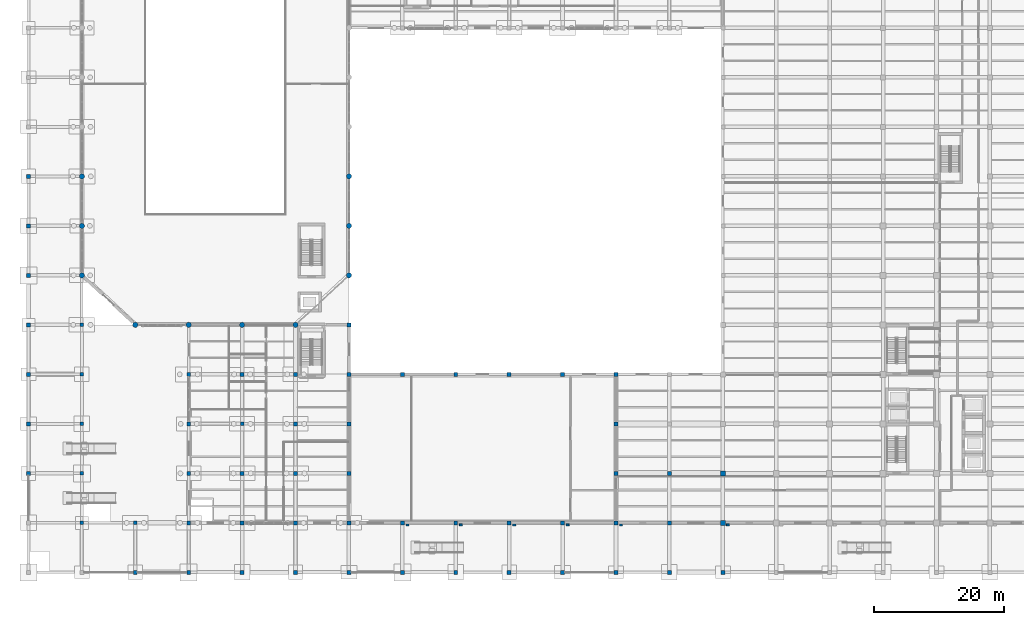
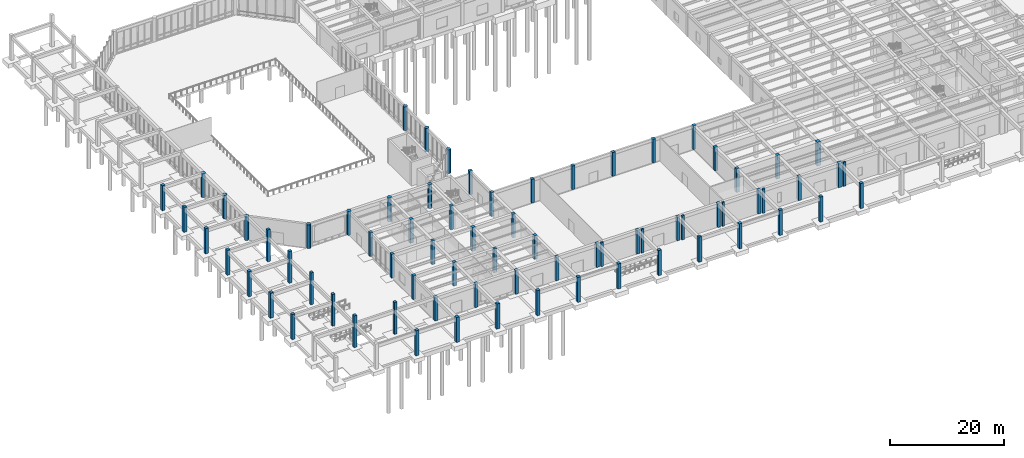
# One storey, part 7 of 64: 74 columns.
"""IFC4 building model written with IfcOpenShell, lengths in metres."""

from ifc_helpers import new_model, si_unit, direction, frame, origin, origin_2d, place, context, subcontext, project, spatial, rectangle, circle, extrude, material, material_profile, profile_set, type_object, element, save


model = new_model("IFC4")

# Units and contexts
model_context = context("Model", 3, precision=1e-05, world=origin(), true_north=direction((0.0, 1.0)))
body_context = subcontext(model_context, "Body", "Model", "MODEL_VIEW")
ifc_project = project(units=[si_unit("LENGTHUNIT", "METRE"), si_unit("AREAUNIT", "SQUARE_METRE"), si_unit("VOLUMEUNIT", "CUBIC_METRE"), si_unit("PLANEANGLEUNIT", "RADIAN"), si_unit("MASSUNIT", "GRAM", prefix="KILO")], contexts=[model_context])

# Site, building, storey
site_placement = place(None, origin())
site = spatial("IfcSite", under=ifc_project, at=site_placement, CompositionType="ELEMENT")
building_placement = place(site_placement, origin())
building = spatial("IfcBuilding", under=site, at=building_placement, Name="Qandaris Square Conservatory and Botanical Centre", CompositionType="ELEMENT")
storey_placement = place(building_placement, origin())
storey = spatial("IfcBuildingStorey", under=building, at=storey_placement, Name="L00", CompositionType="ELEMENT", Elevation=0.0)

# Columns
ifc_material_1 = material(Name="Concrete C50/60", Category="concrete")
ifc_material_profile_1 = material_profile(ifc_material_1, circle(Radius=0.39990234375, at=origin_2d()), Name="RC-COL D800")
ifc_profile_set_1 = profile_set([ifc_material_profile_1], Name="Concrete C50/60")
column_type_1 = type_object("IfcColumnType", Name="Conservatory Ring Pier D800", PredefinedType="COLUMN", material=ifc_profile_set_1)
for number, where, z_axis, x_axis, name in (
    (1, (16.199951171875, 54.60009765625, 0.0), (0.0, 0.0, 1.0), (1.0, 0.0, 0.0), "Column G2 (L00)"),
    (2, (16.199951171875, 62.199951171875, 0.0), (0.0, 0.0, 1.0), (1.0, 0.0, 0.0), "Column H2 (L00)"),
    (3, (16.199951171875, 69.800048828125, 0.0), (0.0, 0.0, 1.0), (1.0, 0.0, 0.0), "Column J2 (L00)"),
    (4, (24.39990234375, 47.0, 0.0), (0.0, 0.0, 1.0), (1.0, 0.0, 0.0), "Column F3 (L00)"),
    (5, (32.60009765625, 47.0, 0.0), (0.0, 0.0, 1.0), (1.0, 0.0, 0.0), "Column F4 (L00)"),
    (6, (40.800048828125, 47.0, 0.0), (0.0, 0.0, 1.0), (1.0, 0.0, 0.0), "Column F5 (L00)"),
    (7, (49.0, 47.0, 0.0), (0.0, 0.0, 1.0), (1.0, 0.0, 0.0), "Column F6 (L00)"),
    (8, (57.199951171875, 54.60009765625, 0.0), (0.0, 0.0, 1.0), (1.0, 0.0, 0.0), "Column G7 (L00)"),
    (9, (57.199951171875, 62.199951171875, 0.0), (0.0, 0.0, 1.0), (1.0, 0.0, 0.0), "Column H7 (L00)"),
    (10, (57.199951171875, 69.800048828125, 0.0), (0.0, 0.0, 1.0), (1.0, 0.0, 0.0), "Column J7 (L00)"),
):
    element("IfcColumn", number, at=place(storey_placement, frame(where, z_axis=z_axis, x_axis=x_axis)), inside=storey, type_object=column_type_1, Name=name, PredefinedType="COLUMN", context=body_context, shape_type="SweptSolid", body=[
        extrude(circle(Radius=0.39990234375, at=origin_2d()), origin(), (0.0, 0.0, 1.0), 5.10009765625),
    ])
ifc_material_profile_2 = material_profile(ifc_material_1, rectangle(XDim=0.449951171875, YDim=0.300048828125, at=origin_2d()), Name="RC-PIL 450x300")
ifc_profile_set_2 = profile_set([ifc_material_profile_2], Name="Concrete C50/60")
column_type_2 = type_object("IfcColumnType", Name="Engaged Prairie Pilaster 450x300", PredefinedType="PILASTER", material=ifc_profile_set_2)
for number, where, z_axis, x_axis, name in (
    (11, (74.3798828125, 16.280029296875, 0.0), (0.0, 0.0, 1.0), (1.0, 0.0, 0.0), "Prairie Pilaster 02 (L00)"),
    (12, (90.780029296875, 16.280029296875, 0.0), (0.0, 0.0, 1.0), (1.0, 0.0, 0.0), "Prairie Pilaster 04 (L00)"),
    (13, (115.3798828125, 16.280029296875, 0.0), (0.0, 0.0, 1.0), (1.0, 0.0, 0.0), "Prairie Pilaster 06 (L00)"),
):
    element("IfcColumn", number, at=place(storey_placement, frame(where, z_axis=z_axis, x_axis=x_axis)), inside=storey, type_object=column_type_2, Name=name, PredefinedType="PILASTER", context=body_context, shape_type="SweptSolid", body=[
        extrude(rectangle(XDim=0.449951171875, YDim=0.300048828125, at=origin_2d()), origin(), (0.0, 0.0, 1.0), 5.175048828125),
    ])
ifc_material_profile_3 = material_profile(ifc_material_1, rectangle(XDim=0.5, YDim=0.35009765625, at=origin_2d()), Name="RC-PIL 500x350")
ifc_profile_set_3 = profile_set([ifc_material_profile_3], Name="Concrete C50/60")
column_type_3 = type_object("IfcColumnType", Name="Engaged Prairie Pilaster 500x350", PredefinedType="PILASTER", material=ifc_profile_set_3)
for number, where, z_axis, x_axis, name in (
    (14, (66.179931640625, 16.280029296875, 0.0), (0.0, 0.0, 1.0), (1.0, 0.0, 0.0), "Prairie Pilaster 01 (L00)"),
    (15, (82.580078125, 16.280029296875, 0.0), (0.0, 0.0, 1.0), (1.0, 0.0, 0.0), "Prairie Pilaster 03 (L00)"),
    (16, (98.97998046875, 16.280029296875, 0.0), (0.0, 0.0, 1.0), (1.0, 0.0, 0.0), "Prairie Pilaster 05 (L00)"),
):
    element("IfcColumn", number, at=place(storey_placement, frame(where, z_axis=z_axis, x_axis=x_axis)), inside=storey, type_object=column_type_3, Name=name, PredefinedType="PILASTER", context=body_context, shape_type="SweptSolid", body=[
        extrude(rectangle(XDim=0.5, YDim=0.35009765625, at=origin_2d()), origin(), (0.0, 0.0, 1.0), 5.175048828125),
    ])
ifc_material_2 = material(Name="Concrete C40/50", Category="concrete")
ifc_material_profile_4 = material_profile(ifc_material_2, rectangle(XDim=0.550048828125, YDim=0.550048828125, at=origin_2d()), Name="RC-COL 550x550")
ifc_profile_set_4 = profile_set([ifc_material_profile_4], Name="Concrete C40/50")
column_type_4 = type_object("IfcColumnType", Name="RC Column 550x550", PredefinedType="COLUMN", material=ifc_profile_set_4)
for number, where, z_axis, x_axis, name in (
    (17, (16.199951171875, 16.60009765625, 0.0), (0.0, 0.0, 1.0), (1.0, 0.0, 0.0), "Column B2 (L00)"),
    (18, (16.199951171875, 24.199951171875, 0.0), (0.0, 0.0, 1.0), (1.0, 0.0, 0.0), "Column C2 (L00)"),
    (19, (16.199951171875, 31.800048828125, 0.0), (0.0, 0.0, 1.0), (1.0, 0.0, 0.0), "Column D2 (L00)"),
    (20, (16.199951171875, 39.39990234375, 0.0), (0.0, 0.0, 1.0), (1.0, 0.0, 0.0), "Column E2 (L00)"),
    (21, (16.199951171875, 47.0, 0.0), (0.0, 0.0, 1.0), (1.0, 0.0, 0.0), "Column F2 (L00)"),
    (22, (24.39990234375, 16.60009765625, 0.0), (0.0, 0.0, 1.0), (1.0, 0.0, 0.0), "Column B3 (L00)"),
):
    element("IfcColumn", number, at=place(storey_placement, frame(where, z_axis=z_axis, x_axis=x_axis)), inside=storey, type_object=column_type_4, Name=name, PredefinedType="COLUMN", context=body_context, shape_type="SweptSolid", body=[
        extrude(rectangle(XDim=0.550048828125, YDim=0.550048828125, at=origin_2d()), origin(), (0.0, 0.0, 1.0), 6.840087890625),
    ])
column_1_placement = place(storey_placement, frame((40.800048828125, 31.800048828125, 0.0), z_axis=(0.0, 0.0, 1.0), x_axis=(1.0, 0.0, 0.0)))
element("IfcColumn", 23, at=column_1_placement, inside=storey, type_object=column_type_4, Name="Column D5 (L00)", PredefinedType="COLUMN", context=body_context, shape_type="SweptSolid", body=[
    extrude(rectangle(XDim=0.550048828125, YDim=0.550048828125, at=origin_2d()), origin(), (0.0, 0.0, 1.0), 5.10009765625),
])
ifc_material_profile_5 = material_profile(ifc_material_2, rectangle(XDim=0.60009765625, YDim=0.60009765625, at=origin_2d()), Name="RC-COL 600x600")
ifc_profile_set_5 = profile_set([ifc_material_profile_5], Name="Concrete C40/50")
column_type_5 = type_object("IfcColumnType", Name="RC Column 600x600", PredefinedType="COLUMN", material=ifc_profile_set_5)
for number, where, z_axis, x_axis, name in (
    (24, (8.0, 24.199951171875, 0.0), (0.0, 0.0, 1.0), (1.0, 0.0, 0.0), "Column C1 (L00)"),
    (25, (8.0, 31.800048828125, 0.0), (0.0, 0.0, 1.0), (1.0, 0.0, 0.0), "Column D1 (L00)"),
    (26, (8.0, 39.39990234375, 0.0), (0.0, 0.0, 1.0), (1.0, 0.0, 0.0), "Column E1 (L00)"),
    (27, (8.0, 47.0, 0.0), (0.0, 0.0, 1.0), (1.0, 0.0, 0.0), "Column F1 (L00)"),
    (28, (8.0, 54.60009765625, 0.0), (0.0, 0.0, 1.0), (1.0, 0.0, 0.0), "Column G1 (L00)"),
    (29, (8.0, 62.199951171875, 0.0), (0.0, 0.0, 1.0), (1.0, 0.0, 0.0), "Column H1 (L00)"),
    (30, (8.0, 69.800048828125, 0.0), (0.0, 0.0, 1.0), (1.0, 0.0, 0.0), "Column J1 (L00)"),
    (31, (24.39990234375, 9.0, 0.0), (0.0, 0.0, 1.0), (1.0, 0.0, 0.0), "Column A3 (L00)"),
    (32, (32.60009765625, 9.0, 0.0), (0.0, 0.0, 1.0), (1.0, 0.0, 0.0), "Column A4 (L00)"),
):
    element("IfcColumn", number, at=place(storey_placement, frame(where, z_axis=z_axis, x_axis=x_axis)), inside=storey, type_object=column_type_5, Name=name, PredefinedType="COLUMN", context=body_context, shape_type="SweptSolid", body=[
        extrude(rectangle(XDim=0.60009765625, YDim=0.60009765625, at=origin_2d()), origin(), (0.0, 0.0, 1.0), 5.39990234375),
    ])
for number, where, z_axis, x_axis, name in (
    (33, (32.60009765625, 16.60009765625, 0.0), (0.0, 0.0, 1.0), (1.0, 0.0, 0.0), "Column B4 (L00)"),
    (34, (32.60009765625, 24.199951171875, 0.0), (0.0, 0.0, 1.0), (1.0, 0.0, 0.0), "Column C4 (L00)"),
    (35, (32.60009765625, 31.800048828125, 0.0), (0.0, 0.0, 1.0), (1.0, 0.0, 0.0), "Column D4 (L00)"),
    (36, (32.60009765625, 39.39990234375, 0.0), (0.0, 0.0, 1.0), (1.0, 0.0, 0.0), "Column E4 (L00)"),
):
    element("IfcColumn", number, at=place(storey_placement, frame(where, z_axis=z_axis, x_axis=x_axis)), inside=storey, type_object=column_type_5, Name=name, PredefinedType="COLUMN", context=body_context, shape_type="SweptSolid", body=[
        extrude(rectangle(XDim=0.60009765625, YDim=0.60009765625, at=origin_2d()), origin(), (0.0, 0.0, 1.0), 5.10009765625),
    ])
column_2_placement = place(storey_placement, frame((40.800048828125, 9.0, 0.0), z_axis=(0.0, 0.0, 1.0), x_axis=(1.0, 0.0, 0.0)))
element("IfcColumn", 37, at=column_2_placement, inside=storey, type_object=column_type_5, Name="Column A5 (L00)", PredefinedType="COLUMN", context=body_context, shape_type="SweptSolid", body=[
    extrude(rectangle(XDim=0.60009765625, YDim=0.60009765625, at=origin_2d()), origin(), (0.0, 0.0, 1.0), 5.39990234375),
])
for number, where, z_axis, x_axis, name in (
    (38, (40.800048828125, 16.60009765625, 0.0), (0.0, 0.0, 1.0), (1.0, 0.0, 0.0), "Column B5 (L00)"),
    (39, (40.800048828125, 24.199951171875, 0.0), (0.0, 0.0, 1.0), (1.0, 0.0, 0.0), "Column C5 (L00)"),
    (40, (40.800048828125, 39.39990234375, 0.0), (0.0, 0.0, 1.0), (1.0, 0.0, 0.0), "Column E5 (L00)"),
):
    element("IfcColumn", number, at=place(storey_placement, frame(where, z_axis=z_axis, x_axis=x_axis)), inside=storey, type_object=column_type_5, Name=name, PredefinedType="COLUMN", context=body_context, shape_type="SweptSolid", body=[
        extrude(rectangle(XDim=0.60009765625, YDim=0.60009765625, at=origin_2d()), origin(), (0.0, 0.0, 1.0), 5.10009765625),
    ])
column_3_placement = place(storey_placement, frame((49.0, 9.0, 0.0), z_axis=(0.0, 0.0, 1.0), x_axis=(1.0, 0.0, 0.0)))
element("IfcColumn", 41, at=column_3_placement, inside=storey, type_object=column_type_5, Name="Column A6 (L00)", PredefinedType="COLUMN", context=body_context, shape_type="SweptSolid", body=[
    extrude(rectangle(XDim=0.60009765625, YDim=0.60009765625, at=origin_2d()), origin(), (0.0, 0.0, 1.0), 5.39990234375),
])
for number, where, z_axis, x_axis, name in (
    (42, (49.0, 16.60009765625, 0.0), (0.0, 0.0, 1.0), (1.0, 0.0, 0.0), "Column B6 (L00)"),
    (43, (49.0, 24.199951171875, 0.0), (0.0, 0.0, 1.0), (1.0, 0.0, 0.0), "Column C6 (L00)"),
    (44, (49.0, 31.800048828125, 0.0), (0.0, 0.0, 1.0), (1.0, 0.0, 0.0), "Column D6 (L00)"),
    (45, (49.0, 39.39990234375, 0.0), (0.0, 0.0, 1.0), (1.0, 0.0, 0.0), "Column E6 (L00)"),
):
    element("IfcColumn", number, at=place(storey_placement, frame(where, z_axis=z_axis, x_axis=x_axis)), inside=storey, type_object=column_type_5, Name=name, PredefinedType="COLUMN", context=body_context, shape_type="SweptSolid", body=[
        extrude(rectangle(XDim=0.60009765625, YDim=0.60009765625, at=origin_2d()), origin(), (0.0, 0.0, 1.0), 5.10009765625),
    ])
column_4_placement = place(storey_placement, frame((57.199951171875, 9.0, 0.0), z_axis=(0.0, 0.0, 1.0), x_axis=(1.0, 0.0, 0.0)))
element("IfcColumn", 46, at=column_4_placement, inside=storey, type_object=column_type_5, Name="Column A7 (L00)", PredefinedType="COLUMN", context=body_context, shape_type="SweptSolid", body=[
    extrude(rectangle(XDim=0.60009765625, YDim=0.60009765625, at=origin_2d()), origin(), (0.0, 0.0, 1.0), 5.39990234375),
])
for number, where, z_axis, x_axis, name in (
    (47, (57.199951171875, 16.60009765625, 0.0), (0.0, 0.0, 1.0), (1.0, 0.0, 0.0), "Column B7 (L00)"),
    (48, (57.199951171875, 24.199951171875, 0.0), (0.0, 0.0, 1.0), (1.0, 0.0, 0.0), "Column C7 (L00)"),
    (49, (57.199951171875, 31.800048828125, 0.0), (0.0, 0.0, 1.0), (1.0, 0.0, 0.0), "Column D7 (L00)"),
    (50, (57.199951171875, 39.39990234375, 0.0), (0.0, 0.0, 1.0), (1.0, 0.0, 0.0), "Column E7 (L00)"),
    (51, (57.199951171875, 47.0, 0.0), (0.0, 0.0, 1.0), (1.0, 0.0, 0.0), "Column F7 (L00)"),
):
    element("IfcColumn", number, at=place(storey_placement, frame(where, z_axis=z_axis, x_axis=x_axis)), inside=storey, type_object=column_type_5, Name=name, PredefinedType="COLUMN", context=body_context, shape_type="SweptSolid", body=[
        extrude(rectangle(XDim=0.60009765625, YDim=0.60009765625, at=origin_2d()), origin(), (0.0, 0.0, 1.0), 5.10009765625),
    ])
column_5_placement = place(storey_placement, frame((65.39990234375, 9.0, 0.0), z_axis=(0.0, 0.0, 1.0), x_axis=(1.0, 0.0, 0.0)))
element("IfcColumn", 52, at=column_5_placement, inside=storey, type_object=column_type_5, Name="Column A8 (L00)", PredefinedType="COLUMN", context=body_context, shape_type="SweptSolid", body=[
    extrude(rectangle(XDim=0.60009765625, YDim=0.60009765625, at=origin_2d()), origin(), (0.0, 0.0, 1.0), 5.39990234375),
])
for number, where, z_axis, x_axis, name in (
    (53, (65.39990234375, 16.60009765625, 0.0), (0.0, 0.0, 1.0), (1.0, 0.0, 0.0), "Column B8 (L00)"),
    (54, (65.39990234375, 39.39990234375, 0.0), (0.0, 0.0, 1.0), (1.0, 0.0, 0.0), "Column E8 (L00)"),
):
    element("IfcColumn", number, at=place(storey_placement, frame(where, z_axis=z_axis, x_axis=x_axis)), inside=storey, type_object=column_type_5, Name=name, PredefinedType="COLUMN", context=body_context, shape_type="SweptSolid", body=[
        extrude(rectangle(XDim=0.60009765625, YDim=0.60009765625, at=origin_2d()), origin(), (0.0, 0.0, 1.0), 5.10009765625),
    ])
column_6_placement = place(storey_placement, frame((73.60009765625, 9.0, 0.0), z_axis=(0.0, 0.0, 1.0), x_axis=(1.0, 0.0, 0.0)))
element("IfcColumn", 55, at=column_6_placement, inside=storey, type_object=column_type_5, Name="Column A9 (L00)", PredefinedType="COLUMN", context=body_context, shape_type="SweptSolid", body=[
    extrude(rectangle(XDim=0.60009765625, YDim=0.60009765625, at=origin_2d()), origin(), (0.0, 0.0, 1.0), 5.39990234375),
])
for number, where, z_axis, x_axis, name in (
    (56, (73.60009765625, 16.60009765625, 0.0), (0.0, 0.0, 1.0), (1.0, 0.0, 0.0), "Column B9 (L00)"),
    (57, (73.60009765625, 39.39990234375, 0.0), (0.0, 0.0, 1.0), (1.0, 0.0, 0.0), "Column E9 (L00)"),
):
    element("IfcColumn", number, at=place(storey_placement, frame(where, z_axis=z_axis, x_axis=x_axis)), inside=storey, type_object=column_type_5, Name=name, PredefinedType="COLUMN", context=body_context, shape_type="SweptSolid", body=[
        extrude(rectangle(XDim=0.60009765625, YDim=0.60009765625, at=origin_2d()), origin(), (0.0, 0.0, 1.0), 5.10009765625),
    ])
column_7_placement = place(storey_placement, frame((81.800048828125, 9.0, 0.0), z_axis=(0.0, 0.0, 1.0), x_axis=(1.0, 0.0, 0.0)))
element("IfcColumn", 58, at=column_7_placement, inside=storey, type_object=column_type_5, Name="Column A10 (L00)", PredefinedType="COLUMN", context=body_context, shape_type="SweptSolid", body=[
    extrude(rectangle(XDim=0.60009765625, YDim=0.60009765625, at=origin_2d()), origin(), (0.0, 0.0, 1.0), 5.39990234375),
])
for number, where, z_axis, x_axis, name in (
    (59, (81.800048828125, 16.60009765625, 0.0), (0.0, 0.0, 1.0), (1.0, 0.0, 0.0), "Column B10 (L00)"),
    (60, (81.800048828125, 39.39990234375, 0.0), (0.0, 0.0, 1.0), (1.0, 0.0, 0.0), "Column E10 (L00)"),
):
    element("IfcColumn", number, at=place(storey_placement, frame(where, z_axis=z_axis, x_axis=x_axis)), inside=storey, type_object=column_type_5, Name=name, PredefinedType="COLUMN", context=body_context, shape_type="SweptSolid", body=[
        extrude(rectangle(XDim=0.60009765625, YDim=0.60009765625, at=origin_2d()), origin(), (0.0, 0.0, 1.0), 5.10009765625),
    ])
column_8_placement = place(storey_placement, frame((90.0, 9.0, 0.0), z_axis=(0.0, 0.0, 1.0), x_axis=(1.0, 0.0, 0.0)))
element("IfcColumn", 61, at=column_8_placement, inside=storey, type_object=column_type_5, Name="Column A11 (L00)", PredefinedType="COLUMN", context=body_context, shape_type="SweptSolid", body=[
    extrude(rectangle(XDim=0.60009765625, YDim=0.60009765625, at=origin_2d()), origin(), (0.0, 0.0, 1.0), 5.39990234375),
])
for number, where, z_axis, x_axis, name in (
    (62, (90.0, 16.60009765625, 0.0), (0.0, 0.0, 1.0), (1.0, 0.0, 0.0), "Column B11 (L00)"),
    (63, (90.0, 39.39990234375, 0.0), (0.0, 0.0, 1.0), (1.0, 0.0, 0.0), "Column E11 (L00)"),
):
    element("IfcColumn", number, at=place(storey_placement, frame(where, z_axis=z_axis, x_axis=x_axis)), inside=storey, type_object=column_type_5, Name=name, PredefinedType="COLUMN", context=body_context, shape_type="SweptSolid", body=[
        extrude(rectangle(XDim=0.60009765625, YDim=0.60009765625, at=origin_2d()), origin(), (0.0, 0.0, 1.0), 5.10009765625),
    ])
column_9_placement = place(storey_placement, frame((98.199951171875, 9.0, 0.0), z_axis=(0.0, 0.0, 1.0), x_axis=(1.0, 0.0, 0.0)))
element("IfcColumn", 64, at=column_9_placement, inside=storey, type_object=column_type_5, Name="Column A12 (L00)", PredefinedType="COLUMN", context=body_context, shape_type="SweptSolid", body=[
    extrude(rectangle(XDim=0.60009765625, YDim=0.60009765625, at=origin_2d()), origin(), (0.0, 0.0, 1.0), 5.39990234375),
])
for number, where, z_axis, x_axis, name in (
    (65, (98.199951171875, 16.60009765625, 0.0), (0.0, 0.0, 1.0), (1.0, 0.0, 0.0), "Column B12 (L00)"),
    (66, (98.199951171875, 24.199951171875, 0.0), (0.0, 0.0, 1.0), (1.0, 0.0, 0.0), "Column C12 (L00)"),
    (67, (98.199951171875, 31.800048828125, 0.0), (0.0, 0.0, 1.0), (1.0, 0.0, 0.0), "Column D12 (L00)"),
    (68, (98.199951171875, 39.39990234375, 0.0), (0.0, 0.0, 1.0), (1.0, 0.0, 0.0), "Column E12 (L00)"),
):
    element("IfcColumn", number, at=place(storey_placement, frame(where, z_axis=z_axis, x_axis=x_axis)), inside=storey, type_object=column_type_5, Name=name, PredefinedType="COLUMN", context=body_context, shape_type="SweptSolid", body=[
        extrude(rectangle(XDim=0.60009765625, YDim=0.60009765625, at=origin_2d()), origin(), (0.0, 0.0, 1.0), 5.10009765625),
    ])
column_10_placement = place(storey_placement, frame((106.39990234375, 9.0, 0.0), z_axis=(0.0, 0.0, 1.0), x_axis=(1.0, 0.0, 0.0)))
element("IfcColumn", 69, at=column_10_placement, inside=storey, type_object=column_type_5, Name="Column A13 (L00)", PredefinedType="COLUMN", context=body_context, shape_type="SweptSolid", body=[
    extrude(rectangle(XDim=0.60009765625, YDim=0.60009765625, at=origin_2d()), origin(), (0.0, 0.0, 1.0), 5.39990234375),
])
for number, where, z_axis, x_axis, name in (
    (70, (106.39990234375, 16.60009765625, 0.0), (0.0, 0.0, 1.0), (1.0, 0.0, 0.0), "Column B13 (L00)"),
    (71, (106.39990234375, 24.199951171875, 0.0), (0.0, 0.0, 1.0), (1.0, 0.0, 0.0), "Column C13 (L00)"),
):
    element("IfcColumn", number, at=place(storey_placement, frame(where, z_axis=z_axis, x_axis=x_axis)), inside=storey, type_object=column_type_5, Name=name, PredefinedType="COLUMN", context=body_context, shape_type="SweptSolid", body=[
        extrude(rectangle(XDim=0.60009765625, YDim=0.60009765625, at=origin_2d()), origin(), (0.0, 0.0, 1.0), 5.10009765625),
    ])
column_11_placement = place(storey_placement, frame((114.60009765625, 9.0, 0.0), z_axis=(0.0, 0.0, 1.0), x_axis=(1.0, 0.0, 0.0)))
element("IfcColumn", 72, at=column_11_placement, inside=storey, type_object=column_type_5, Name="Column A14 (L00)", PredefinedType="COLUMN", context=body_context, shape_type="SweptSolid", body=[
    extrude(rectangle(XDim=0.60009765625, YDim=0.60009765625, at=origin_2d()), origin(), (0.0, 0.0, 1.0), 5.39990234375),
])
ifc_material_profile_6 = material_profile(ifc_material_1, rectangle(XDim=0.75, YDim=0.75, at=origin_2d()), Name="RC-COL 750x750")
ifc_profile_set_6 = profile_set([ifc_material_profile_6], Name="Concrete C50/60")
column_type_6 = type_object("IfcColumnType", Name="RC Column 750x750", PredefinedType="COLUMN", material=ifc_profile_set_6)
for number, where, z_axis, x_axis, name in (
    (73, (114.60009765625, 16.60009765625, 0.0), (0.0, 0.0, 1.0), (1.0, 0.0, 0.0), "Column B14 (L00)"),
    (74, (114.60009765625, 24.199951171875, 0.0), (0.0, 0.0, 1.0), (1.0, 0.0, 0.0), "Column C14 (L00)"),
):
    element("IfcColumn", number, at=place(storey_placement, frame(where, z_axis=z_axis, x_axis=x_axis)), inside=storey, type_object=column_type_6, Name=name, PredefinedType="COLUMN", context=body_context, shape_type="SweptSolid", body=[
        extrude(rectangle(XDim=0.75, YDim=0.75, at=origin_2d()), origin(), (0.0, 0.0, 1.0), 5.10009765625),
    ])

save(model, "model.ifc")
